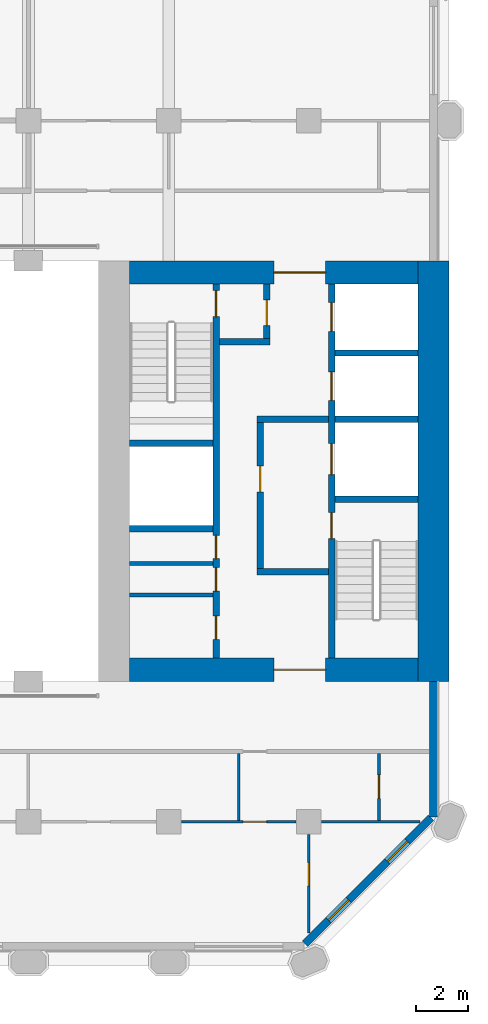
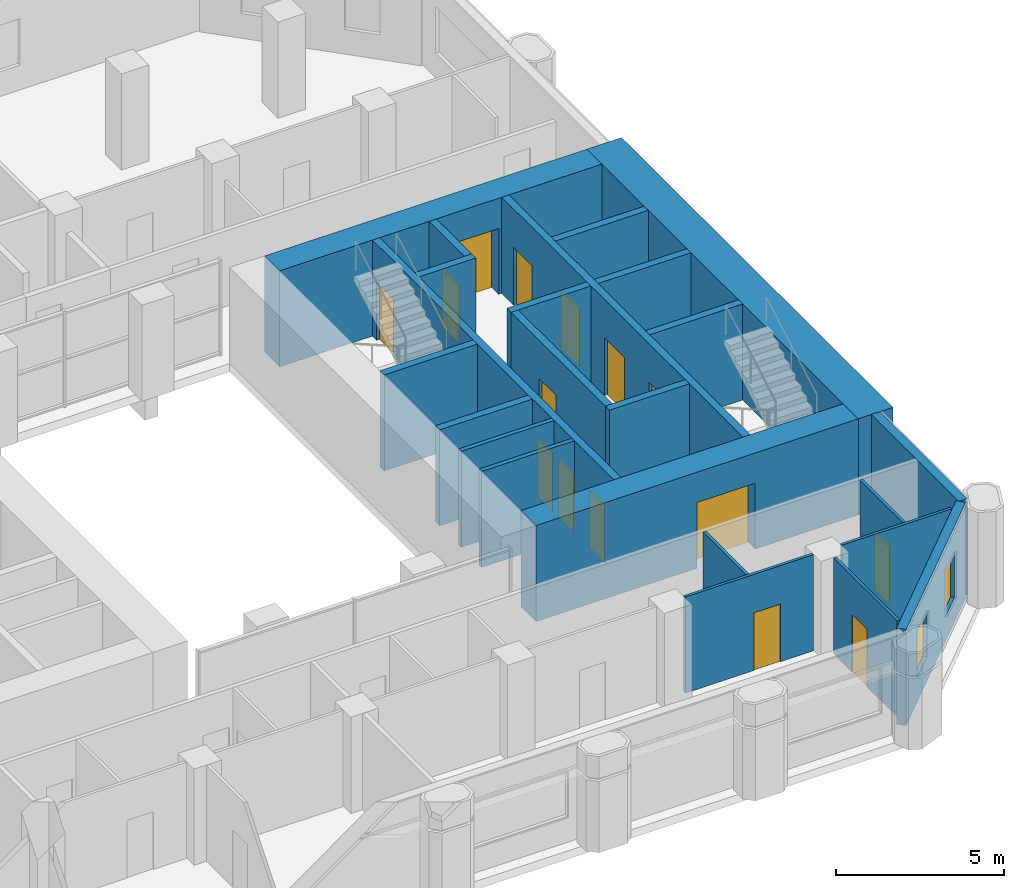
# One storey, part 8 of 13: 24 walls, 15 doors, 2 windows, 17 openings.
"""IFC4 building model written with IfcOpenShell, lengths in metres."""

from ifc_helpers import new_model, si_unit, direction, frame, frame_2d, origin, place, context, subcontext, project, spatial, rectangle, extrude, material, layer, layer_set, type_object, element, fill, save


model = new_model("IFC4")

# Units and contexts
model_context = context("Model", 3, precision=1e-05, world=origin(), true_north=direction((0.0, 1.0)))
body_context = subcontext(model_context, "Body", "Model", "MODEL_VIEW")
ifc_project = project(units=[si_unit("LENGTHUNIT", "METRE"), si_unit("AREAUNIT", "SQUARE_METRE"), si_unit("VOLUMEUNIT", "CUBIC_METRE"), si_unit("PLANEANGLEUNIT", "RADIAN"), si_unit("MASSUNIT", "GRAM", prefix="KILO")], contexts=[model_context])

# Site, building, storey
site_placement = place(None, origin())
site = spatial("IfcSite", under=ifc_project, at=site_placement, CompositionType="ELEMENT")
building_placement = place(site_placement, origin())
building = spatial("IfcBuilding", under=site, at=building_placement, Name="Tabaq Tower and Sports Hall", CompositionType="ELEMENT")
storey_placement = place(building_placement, frame((0.0, 0.0, 106.800048828125)))
storey = spatial("IfcBuildingStorey", under=building, at=storey_placement, Name="L25", CompositionType="ELEMENT", Elevation=106.800048828125)

# Walls
ifc_material_1 = material(Name="Blockwork", Category="masonry")
ifc_layer_1 = layer(ifc_material_1, 0.14990234375)
ifc_layer_set_1 = layer_set([ifc_layer_1], Name="Core room partition 150 Blockwork")
wall_type_1 = type_object("IfcWallType", Name="Core room partition 150 Blockwork", PredefinedType="PARTITIONING", material=ifc_layer_set_1)
for number, where, z_axis, x_axis, name in (
    (1, (30.89990234375, 19.52490234375, 0.0), (0.0, 0.0, 1.0), (1.0, 0.0, 0.0), "Core room partition E L25"),
    (2, (30.89990234375, 20.737060546875, 0.0), (0.0, 0.0, 1.0), (1.0, 0.0, 0.0), "Core room partition E L25"),
):
    element("IfcWall", number, at=place(storey_placement, frame(where, z_axis=z_axis, x_axis=x_axis)), inside=storey, type_object=wall_type_1, Name=name, PredefinedType="PARTITIONING", context=body_context, shape_type="SweptSolid", body=[
        extrude(rectangle(XDim=3.2001953125, YDim=0.14990234375, at=frame_2d((1.60009765625, 0.0))), origin(), (0.0, 0.0, 1.0), 3.5),
    ])
ifc_material_2 = material(Name="Concrete C60/75", Category="concrete")
ifc_layer_2 = layer(ifc_material_2, 1.199951171875)
ifc_layer_set_2 = layer_set([ifc_layer_2], Name="Core wall 1200 Concrete C60/75")
wall_type_2 = type_object("IfcWallType", Name="Core wall 1200 Concrete C60/75", PredefinedType="SOLIDWALL", material=ifc_layer_set_2)
wall_1_placement = place(storey_placement, frame((42.60009765625, 32.39990234375, 0.0), z_axis=(0.0, 0.0, 1.0), x_axis=(0.0, -1.0, 0.0)))
element("IfcWall", 3, at=wall_1_placement, inside=storey, type_object=wall_type_2, Name="Core wall E L25", PredefinedType="SOLIDWALL", context=body_context, shape_type="SweptSolid", body=[
    extrude(rectangle(XDim=16.199951171875, YDim=1.199951171875, at=frame_2d((8.10009765625, 0.0))), origin(), (0.0, 0.0, 1.0), 3.5),
])

# Wall, opening, door
ifc_material_3 = material(Name="Concrete C60/75", Category="concrete")
ifc_layer_3 = layer(ifc_material_3, 0.89990234375)
ifc_layer_set_3 = layer_set([ifc_layer_3], Name="Core wall 900 Concrete C60/75")
wall_type_3 = type_object("IfcWallType", Name="Core wall 900 Concrete C60/75", PredefinedType="SOLIDWALL", material=ifc_layer_set_3)
wall_2_placement = place(storey_placement, frame((42.0, 16.64990234375, 0.0), z_axis=(0.0, 0.0, 1.0), x_axis=(-1.0, 0.0, 0.0)))
wall_2 = element("IfcWall", 4, at=wall_2_placement, inside=storey, type_object=wall_type_3, Name="Core wall E L25", PredefinedType="SOLIDWALL", context=body_context, shape_type="SweptSolid", body=[
    extrude(rectangle(XDim=11.10009765625, YDim=0.89990234375, at=frame_2d((5.550048828125, 0.0))), origin(), (0.0, 0.0, 1.0), 3.5),
])
opening_1_placement = place(wall_2_placement, frame((3.550048828125, 0.0, 0.0)))
opening_1 = element("IfcOpeningElement", 5, at=opening_1_placement, cuts=wall_2, Name="Opening PD-EL25-01", PredefinedType="OPENING", context=body_context, shape_type="SweptSolid", body=[
    extrude(rectangle(XDim=2.0, YDim=2.39990234375, at=frame_2d((1.0, 1.199951171875))), frame((0.0, 0.449951171875, 0.0), z_axis=(0.0, -1.0, 0.0), x_axis=(1.0, 0.0, 0.0)), (0.0, 0.0, 1.0), 0.89990234375),
])
ifc_material_4 = material(Name="Steel fire door", Category="steel")
door_type_1 = type_object("IfcDoorType", Name="Core entrance door 2000", OperationType="DOUBLE_DOOR_SINGLE_SWING", PredefinedType="DOOR", material=ifc_material_4)
door_1_placement = place(opening_1_placement, origin())
door_1 = element("IfcDoor", 6, at=door_1_placement, inside=storey, type_object=door_type_1, Name="Core entrance south E L25", OperationType="DOUBLE_DOOR_SINGLE_SWING", OverallHeight=2.39990234375, OverallWidth=2.0, PredefinedType="DOOR", context=body_context, shape_type="SweptSolid", body=[
    extrude(rectangle(XDim=2.0, YDim=2.39990234375, at=frame_2d((1.0, 1.199951171875))), frame((0.0, 0.02490234375, 0.0), z_axis=(0.0, -1.0, 0.0), x_axis=(1.0, 0.0, 0.0)), (0.0, 0.0, 1.0), 0.050048828125),
])
fill(opening_1, door_1)

wall_3_placement = place(storey_placement, frame((30.89990234375, 31.949951171875, 0.0), z_axis=(0.0, 0.0, 1.0), x_axis=(1.0, 0.0, 0.0)))
wall_3 = element("IfcWall", 7, at=wall_3_placement, inside=storey, type_object=wall_type_3, Name="Core wall E L25", PredefinedType="SOLIDWALL", context=body_context, shape_type="SweptSolid", body=[
    extrude(rectangle(XDim=11.10009765625, YDim=0.89990234375, at=frame_2d((5.550048828125, 0.0))), origin(), (0.0, 0.0, 1.0), 3.5),
])
opening_2_placement = place(wall_3_placement, frame((5.550048828125, 0.0, 0.0)))
opening_2 = element("IfcOpeningElement", 8, at=opening_2_placement, cuts=wall_3, Name="Opening PD-EL25-02", PredefinedType="OPENING", context=body_context, shape_type="SweptSolid", body=[
    extrude(rectangle(XDim=2.0, YDim=2.39990234375, at=frame_2d((1.0, 1.199951171875))), frame((0.0, 0.449951171875, 0.0), z_axis=(0.0, -1.0, 0.0), x_axis=(1.0, 0.0, 0.0)), (0.0, 0.0, 1.0), 0.89990234375),
])
door_2_placement = place(opening_2_placement, origin())
door_2 = element("IfcDoor", 9, at=door_2_placement, inside=storey, type_object=door_type_1, Name="Core entrance north E L25", OperationType="DOUBLE_DOOR_SINGLE_SWING", OverallHeight=2.39990234375, OverallWidth=2.0, PredefinedType="DOOR", context=body_context, shape_type="SweptSolid", body=[
    extrude(rectangle(XDim=2.0, YDim=2.39990234375, at=frame_2d((1.0, 1.199951171875))), frame((0.0, 0.02490234375, 0.0), z_axis=(0.0, -1.0, 0.0), x_axis=(1.0, 0.0, 0.0)), (0.0, 0.0, 1.0), 0.050048828125),
])
fill(opening_2, door_2)

# Wall
ifc_material_5 = material(Name="Gypsum board on steel studs", Category="steel")
ifc_layer_4 = layer(ifc_material_5, 0.10009765625)
ifc_layer_set_4 = layer_set([ifc_layer_4], Name="Partition 100 Gypsum board")
wall_type_4 = type_object("IfcWallType", Name="Partition 100 Gypsum board", PredefinedType="PARTITIONING", material=ifc_layer_set_4)
wall_4_placement = place(storey_placement, frame((35.10009765625, 10.85009765625, 0.0), z_axis=(0.0, 0.0, 1.0), x_axis=(0.0, 1.0, 0.0)))
element("IfcWall", 10, at=wall_4_placement, inside=storey, type_object=wall_type_4, Name="Partition wall L25", PredefinedType="PARTITIONING", context=body_context, shape_type="SweptSolid", body=[
    extrude(rectangle(XDim=2.574951171875, YDim=0.10009765625, at=frame_2d((1.28759765625, 0.0))), origin(), (0.0, 0.0, 1.0), 3.5),
])

# Wall, opening, door
wall_5_placement = place(storey_placement, frame((32.89501953125, 10.800048828125, 0.0), z_axis=(0.0, 0.0, 1.0), x_axis=(1.0, 0.0, 0.0)))
wall_5 = element("IfcWall", 11, at=wall_5_placement, inside=storey, type_object=wall_type_4, Name="Partition wall L25", PredefinedType="PARTITIONING", context=body_context, shape_type="SweptSolid", body=[
    extrude(rectangle(XDim=4.409912109375, YDim=0.10009765625, at=frame_2d((2.205078125, 0.0))), origin(), (0.0, 0.0, 1.0), 3.5),
])
opening_3_placement = place(wall_5_placement, frame((2.375, 0.0, 0.0)))
opening_3 = element("IfcOpeningElement", 12, at=opening_3_placement, cuts=wall_5, Name="Opening L25-033", PredefinedType="OPENING", context=body_context, shape_type="SweptSolid", body=[
    extrude(rectangle(XDim=0.89990234375, YDim=2.10009765625, at=frame_2d((0.449951171875, 1.050048828125))), frame((0.0, 0.050048828125, 0.0), z_axis=(0.0, -1.0, 0.0), x_axis=(1.0, 0.0, 0.0)), (0.0, 0.0, 1.0), 0.10009765625),
])
ifc_material_6 = material(Name="Timber leaf in steel frame", Category="steel")
door_type_2 = type_object("IfcDoorType", Name="Internal door 900 left hand", OperationType="SINGLE_SWING_LEFT", PredefinedType="DOOR", material=ifc_material_6)
door_3_placement = place(opening_3_placement, origin())
door_3 = element("IfcDoor", 13, at=door_3_placement, inside=storey, type_object=door_type_2, Name="Internal door L25-033", OperationType="SINGLE_SWING_LEFT", OverallHeight=2.10009765625, OverallWidth=0.89990234375, PredefinedType="DOOR", context=body_context, shape_type="SweptSolid", body=[
    extrude(rectangle(XDim=0.89990234375, YDim=2.10009765625, at=frame_2d((0.449951171875, 1.050048828125))), frame((0.0, 0.02490234375, 0.0), z_axis=(0.0, -1.0, 0.0), x_axis=(1.0, 0.0, 0.0)), (0.0, 0.0, 1.0), 0.050048828125),
])
fill(opening_3, door_3)

wall_6_placement = place(storey_placement, frame((40.5, 10.85009765625, 0.0), z_axis=(0.0, 0.0, 1.0), x_axis=(0.0, 1.0, 0.0)))
wall_6 = element("IfcWall", 14, at=wall_6_placement, inside=storey, type_object=wall_type_4, Name="Partition wall L25", PredefinedType="PARTITIONING", context=body_context, shape_type="SweptSolid", body=[
    extrude(rectangle(XDim=2.574951171875, YDim=0.10009765625, at=frame_2d((1.28759765625, 0.0))), origin(), (0.0, 0.0, 1.0), 3.5),
])
opening_4_placement = place(wall_6_placement, frame((0.85009765625, 0.0, 0.0)))
opening_4 = element("IfcOpeningElement", 15, at=opening_4_placement, cuts=wall_6, Name="Opening L25-023", PredefinedType="OPENING", context=body_context, shape_type="SweptSolid", body=[
    extrude(rectangle(XDim=0.89990234375, YDim=2.10009765625, at=frame_2d((0.449951171875, 1.050048828125))), frame((0.0, 0.050048828125, 0.0), z_axis=(0.0, -1.0, 0.0), x_axis=(1.0, 0.0, 0.0)), (0.0, 0.0, 1.0), 0.10009765625),
])
door_4_placement = place(opening_4_placement, origin())
door_4 = element("IfcDoor", 16, at=door_4_placement, inside=storey, type_object=door_type_2, Name="Internal door L25-023", OperationType="SINGLE_SWING_LEFT", OverallHeight=2.10009765625, OverallWidth=0.89990234375, PredefinedType="DOOR", context=body_context, shape_type="SweptSolid", body=[
    extrude(rectangle(XDim=0.89990234375, YDim=2.10009765625, at=frame_2d((0.449951171875, 1.050048828125))), frame((0.0, 0.02490234375, 0.0), z_axis=(0.0, -1.0, 0.0), x_axis=(1.0, 0.0, 0.0)), (0.0, 0.0, 1.0), 0.050048828125),
])
fill(opening_4, door_4)

# Wall
wall_7_placement = place(storey_placement, frame((38.294921875, 10.800048828125, 0.0), z_axis=(0.0, 0.0, 1.0), x_axis=(1.0, 0.0, 0.0)))
element("IfcWall", 17, at=wall_7_placement, inside=storey, type_object=wall_type_4, Name="Partition wall L25", PredefinedType="PARTITIONING", context=body_context, shape_type="SweptSolid", body=[
    extrude(rectangle(XDim=3.79296875, YDim=0.10009765625, at=frame_2d((1.896484375, 0.0))), origin(), (0.0, 0.0, 1.0), 3.5),
])

# Wall, opening, door
wall_8_placement = place(storey_placement, frame((37.800048828125, 6.51220703125, 0.0), z_axis=(0.0, 0.0, 1.0), x_axis=(0.0, 1.0, 0.0)))
wall_8 = element("IfcWall", 18, at=wall_8_placement, inside=storey, type_object=wall_type_4, Name="Partition wall L25", PredefinedType="PARTITIONING", context=body_context, shape_type="SweptSolid", body=[
    extrude(rectangle(XDim=3.792724609375, YDim=0.10009765625, at=frame_2d((1.896484375, 0.0))), origin(), (0.0, 0.0, 1.0), 3.5),
])
opening_5_placement = place(wall_8_placement, frame((1.81298828125, 0.0, 0.0)))
opening_5 = element("IfcOpeningElement", 19, at=opening_5_placement, cuts=wall_8, Name="Opening L25-024", PredefinedType="OPENING", context=body_context, shape_type="SweptSolid", body=[
    extrude(rectangle(XDim=0.89990234375, YDim=2.10009765625, at=frame_2d((0.449951171875, 1.050048828125))), frame((0.0, 0.050048828125, 0.0), z_axis=(0.0, -1.0, 0.0), x_axis=(1.0, 0.0, 0.0)), (0.0, 0.0, 1.0), 0.10009765625),
])
door_5_placement = place(opening_5_placement, origin())
door_5 = element("IfcDoor", 20, at=door_5_placement, inside=storey, type_object=door_type_2, Name="Internal door L25-024", OperationType="SINGLE_SWING_LEFT", OverallHeight=2.10009765625, OverallWidth=0.89990234375, PredefinedType="DOOR", context=body_context, shape_type="SweptSolid", body=[
    extrude(rectangle(XDim=0.89990234375, YDim=2.10009765625, at=frame_2d((0.449951171875, 1.050048828125))), frame((0.0, 0.02490234375, 0.0), z_axis=(0.0, -1.0, 0.0), x_axis=(1.0, 0.0, 0.0)), (0.0, 0.0, 1.0), 0.050048828125),
])
fill(opening_5, door_5)

# Wall, openings, doors
ifc_material_7 = material(Name="Concrete C40/50", Category="concrete")
ifc_layer_5 = layer(ifc_material_7, 0.25)
ifc_layer_set_5 = layer_set([ifc_layer_5], Name="Shaft and stair wall 250 Concrete C40/50")
wall_type_5 = type_object("IfcWallType", Name="Shaft and stair wall 250 Concrete C40/50", PredefinedType="SOLIDWALL", material=ifc_layer_set_5)
wall_9_placement = place(storey_placement, frame((38.675048828125, 17.10009765625, 0.0), z_axis=(0.0, 0.0, 1.0), x_axis=(0.0, 1.0, 0.0)))
wall_9 = element("IfcWall", 21, at=wall_9_placement, inside=storey, type_object=wall_type_5, Name="Shaft wall E L25", PredefinedType="SOLIDWALL", context=body_context, shape_type="SweptSolid", body=[
    extrude(rectangle(XDim=14.39990234375, YDim=0.25, at=frame_2d((7.199951171875, 0.0))), origin(), (0.0, 0.0, 1.0), 3.5),
])
opening_6_placement = place(wall_9_placement, frame((4.60009765625, 0.0, 0.0)))
opening_6 = element("IfcOpeningElement", 22, at=opening_6_placement, cuts=wall_9, Name="Opening SD-EL25-03", PredefinedType="OPENING", context=body_context, shape_type="SweptSolid", body=[
    extrude(rectangle(XDim=1.0, YDim=2.10009765625, at=frame_2d((0.5, 1.050048828125))), frame((0.0, 0.125, 0.0), z_axis=(0.0, -1.0, 0.0), x_axis=(1.0, 0.0, 0.0)), (0.0, 0.0, 1.0), 0.25),
])
opening_7_placement = place(wall_9_placement, frame((7.0625, 0.0, 0.0)))
opening_7 = element("IfcOpeningElement", 23, at=opening_7_placement, cuts=wall_9, Name="Opening LD-FF2-L25", PredefinedType="OPENING", context=body_context, shape_type="SweptSolid", body=[
    extrude(rectangle(XDim=1.199951171875, YDim=2.10009765625, at=frame_2d((0.60009765625, 1.050048828125))), frame((0.0, 0.125, 0.0), z_axis=(0.0, -1.0, 0.0), x_axis=(1.0, 0.0, 0.0)), (0.0, 0.0, 1.0), 0.25),
])
opening_8_placement = place(wall_9_placement, frame((9.925048828125, 0.0, 0.0)))
opening_8 = element("IfcOpeningElement", 24, at=opening_8_placement, cuts=wall_9, Name="Opening LD-LR3-L25", PredefinedType="OPENING", context=body_context, shape_type="SweptSolid", body=[
    extrude(rectangle(XDim=1.10009765625, YDim=2.10009765625, at=frame_2d((0.550048828125, 1.050048828125))), frame((0.0, 0.125, 0.0), z_axis=(0.0, -1.0, 0.0), x_axis=(1.0, 0.0, 0.0)), (0.0, 0.0, 1.0), 0.25),
])
opening_9_placement = place(wall_9_placement, frame((12.58740234375, 0.0, 0.0)))
opening_9 = element("IfcOpeningElement", 25, at=opening_9_placement, cuts=wall_9, Name="Opening LD-LR4-L25", PredefinedType="OPENING", context=body_context, shape_type="SweptSolid", body=[
    extrude(rectangle(XDim=1.10009765625, YDim=2.10009765625, at=frame_2d((0.550048828125, 1.050048828125))), frame((0.0, 0.125, 0.0), z_axis=(0.0, -1.0, 0.0), x_axis=(1.0, 0.0, 0.0)), (0.0, 0.0, 1.0), 0.25),
])
ifc_material_8 = material(Name="Stainless steel", Category="steel")
door_type_3 = type_object("IfcDoorType", Name="Lift landing door 1100", OperationType="DOUBLE_DOOR_SLIDING", PredefinedType="DOOR", material=ifc_material_8)
door_6_placement = place(opening_8_placement, origin())
door_6 = element("IfcDoor", 26, at=door_6_placement, inside=storey, type_object=door_type_3, Name="Lift landing door LR3 E L25", OperationType="DOUBLE_DOOR_SLIDING", OverallHeight=2.10009765625, OverallWidth=1.10009765625, PredefinedType="DOOR", context=body_context, shape_type="SweptSolid", body=[
    extrude(rectangle(XDim=1.10009765625, YDim=2.10009765625, at=frame_2d((0.550048828125, 1.050048828125))), frame((0.0, 0.02490234375, 0.0), z_axis=(0.0, -1.0, 0.0), x_axis=(1.0, 0.0, 0.0)), (0.0, 0.0, 1.0), 0.050048828125),
])
fill(opening_8, door_6)
door_7_placement = place(opening_9_placement, origin())
door_7 = element("IfcDoor", 27, at=door_7_placement, inside=storey, type_object=door_type_3, Name="Lift landing door LR4 E L25", OperationType="DOUBLE_DOOR_SLIDING", OverallHeight=2.10009765625, OverallWidth=1.10009765625, PredefinedType="DOOR", context=body_context, shape_type="SweptSolid", body=[
    extrude(rectangle(XDim=1.10009765625, YDim=2.10009765625, at=frame_2d((0.550048828125, 1.050048828125))), frame((0.0, 0.02490234375, 0.0), z_axis=(0.0, -1.0, 0.0), x_axis=(1.0, 0.0, 0.0)), (0.0, 0.0, 1.0), 0.050048828125),
])
fill(opening_9, door_7)
ifc_material_9 = material(Name="Stainless steel", Category="steel")
door_type_4 = type_object("IfcDoorType", Name="Lift landing door 1200", OperationType="DOUBLE_DOOR_SLIDING", PredefinedType="DOOR", material=ifc_material_9)
door_8_placement = place(opening_7_placement, origin())
door_8 = element("IfcDoor", 28, at=door_8_placement, inside=storey, type_object=door_type_4, Name="Lift landing door FF2 E L25", OperationType="DOUBLE_DOOR_SLIDING", OverallHeight=2.10009765625, OverallWidth=1.199951171875, PredefinedType="DOOR", context=body_context, shape_type="SweptSolid", body=[
    extrude(rectangle(XDim=1.199951171875, YDim=2.10009765625, at=frame_2d((0.60009765625, 1.050048828125))), frame((0.0, 0.02490234375, 0.0), z_axis=(0.0, -1.0, 0.0), x_axis=(1.0, 0.0, 0.0)), (0.0, 0.0, 1.0), 0.050048828125),
])
fill(opening_7, door_8)
ifc_material_10 = material(Name="Steel fire door", Category="steel")
door_type_5 = type_object("IfcDoorType", Name="Stair door 1000", OperationType="SINGLE_SWING_LEFT", PredefinedType="DOOR", material=ifc_material_10)
door_9_placement = place(opening_6_placement, origin())
door_9 = element("IfcDoor", 29, at=door_9_placement, inside=storey, type_object=door_type_5, Name="Stair door ST3 E L25", OperationType="SINGLE_SWING_LEFT", OverallHeight=2.10009765625, OverallWidth=1.0, PredefinedType="DOOR", context=body_context, shape_type="SweptSolid", body=[
    extrude(rectangle(XDim=1.0, YDim=2.10009765625, at=frame_2d((0.5, 1.050048828125))), frame((0.0, 0.02490234375, 0.0), z_axis=(0.0, -1.0, 0.0), x_axis=(1.0, 0.0, 0.0)), (0.0, 0.0, 1.0), 0.050048828125),
])
fill(opening_6, door_9)

wall_10_placement = place(storey_placement, frame((34.22509765625, 17.10009765625, 0.0), z_axis=(0.0, 0.0, 1.0), x_axis=(0.0, 1.0, 0.0)))
wall_10 = element("IfcWall", 30, at=wall_10_placement, inside=storey, type_object=wall_type_5, Name="Shaft wall E L25", PredefinedType="SOLIDWALL", context=body_context, shape_type="SweptSolid", body=[
    extrude(rectangle(XDim=14.39990234375, YDim=0.25, at=frame_2d((7.199951171875, 0.0))), origin(), (0.0, 0.0, 1.0), 3.5),
])
opening_10_placement = place(wall_10_placement, frame((13.14990234375, 0.0, 0.0)))
opening_10 = element("IfcOpeningElement", 31, at=opening_10_placement, cuts=wall_10, Name="Opening SD-EL25-05", PredefinedType="OPENING", context=body_context, shape_type="SweptSolid", body=[
    extrude(rectangle(XDim=1.0, YDim=2.10009765625, at=frame_2d((0.5, 1.050048828125))), frame((0.0, 0.125, 0.0), z_axis=(0.0, -1.0, 0.0), x_axis=(1.0, 0.0, 0.0)), (0.0, 0.0, 1.0), 0.25),
])
opening_11_placement = place(wall_10_placement, frame((0.72509765625, 0.0, 0.0)))
opening_11 = element("IfcOpeningElement", 32, at=opening_11_placement, cuts=wall_10, Name="Opening RD-EL25-10", PredefinedType="OPENING", context=body_context, shape_type="SweptSolid", body=[
    extrude(rectangle(XDim=0.89990234375, YDim=2.10009765625, at=frame_2d((0.449951171875, 1.050048828125))), frame((0.0, 0.125, 0.0), z_axis=(0.0, -1.0, 0.0), x_axis=(1.0, 0.0, 0.0)), (0.0, 0.0, 1.0), 0.25),
])
opening_12_placement = place(wall_10_placement, frame((2.5810546875, 0.0, 0.0)))
opening_12 = element("IfcOpeningElement", 33, at=opening_12_placement, cuts=wall_10, Name="Opening RD-EL25-11", PredefinedType="OPENING", context=body_context, shape_type="SweptSolid", body=[
    extrude(rectangle(XDim=0.89990234375, YDim=2.10009765625, at=frame_2d((0.449951171875, 1.050048828125))), frame((0.0, 0.125, 0.0), z_axis=(0.0, -1.0, 0.0), x_axis=(1.0, 0.0, 0.0)), (0.0, 0.0, 1.0), 0.25),
])
opening_13_placement = place(wall_10_placement, frame((3.8310546875, 0.0, 0.0)))
opening_13 = element("IfcOpeningElement", 34, at=opening_13_placement, cuts=wall_10, Name="Opening RD-EL25-12", PredefinedType="OPENING", context=body_context, shape_type="SweptSolid", body=[
    extrude(rectangle(XDim=0.89990234375, YDim=2.10009765625, at=frame_2d((0.449951171875, 1.050048828125))), frame((0.0, 0.125, 0.0), z_axis=(0.0, -1.0, 0.0), x_axis=(1.0, 0.0, 0.0)), (0.0, 0.0, 1.0), 0.25),
])
ifc_material_11 = material(Name="Steel fire door", Category="steel")
door_type_6 = type_object("IfcDoorType", Name="Core room door 900", OperationType="SINGLE_SWING_LEFT", PredefinedType="DOOR", material=ifc_material_11)
door_10_placement = place(opening_11_placement, origin())
door_10 = element("IfcDoor", 35, at=door_10_placement, inside=storey, type_object=door_type_6, Name="Door Unisex WC E L25", OperationType="SINGLE_SWING_LEFT", OverallHeight=2.10009765625, OverallWidth=0.89990234375, PredefinedType="DOOR", context=body_context, shape_type="SweptSolid", body=[
    extrude(rectangle(XDim=0.89990234375, YDim=2.10009765625, at=frame_2d((0.449951171875, 1.050048828125))), frame((0.0, 0.02490234375, 0.0), z_axis=(0.0, -1.0, 0.0), x_axis=(1.0, 0.0, 0.0)), (0.0, 0.0, 1.0), 0.050048828125),
])
fill(opening_11, door_10)
door_11_placement = place(opening_12_placement, origin())
door_11 = element("IfcDoor", 36, at=door_11_placement, inside=storey, type_object=door_type_6, Name="Door Cleaner's Store E L25", OperationType="SINGLE_SWING_LEFT", OverallHeight=2.10009765625, OverallWidth=0.89990234375, PredefinedType="DOOR", context=body_context, shape_type="SweptSolid", body=[
    extrude(rectangle(XDim=0.89990234375, YDim=2.10009765625, at=frame_2d((0.449951171875, 1.050048828125))), frame((0.0, 0.02490234375, 0.0), z_axis=(0.0, -1.0, 0.0), x_axis=(1.0, 0.0, 0.0)), (0.0, 0.0, 1.0), 0.050048828125),
])
fill(opening_12, door_11)
door_12_placement = place(opening_13_placement, origin())
door_12 = element("IfcDoor", 37, at=door_12_placement, inside=storey, type_object=door_type_6, Name="Door Accessible WC E L25", OperationType="SINGLE_SWING_LEFT", OverallHeight=2.10009765625, OverallWidth=0.89990234375, PredefinedType="DOOR", context=body_context, shape_type="SweptSolid", body=[
    extrude(rectangle(XDim=0.89990234375, YDim=2.10009765625, at=frame_2d((0.449951171875, 1.050048828125))), frame((0.0, 0.02490234375, 0.0), z_axis=(0.0, -1.0, 0.0), x_axis=(1.0, 0.0, 0.0)), (0.0, 0.0, 1.0), 0.050048828125),
])
fill(opening_13, door_12)
door_13_placement = place(opening_10_placement, origin())
door_13 = element("IfcDoor", 38, at=door_13_placement, inside=storey, type_object=door_type_5, Name="Stair door ST4 E L25", OperationType="SINGLE_SWING_LEFT", OverallHeight=2.10009765625, OverallWidth=1.0, PredefinedType="DOOR", context=body_context, shape_type="SweptSolid", body=[
    extrude(rectangle(XDim=1.0, YDim=2.10009765625, at=frame_2d((0.5, 1.050048828125))), frame((0.0, 0.02490234375, 0.0), z_axis=(0.0, -1.0, 0.0), x_axis=(1.0, 0.0, 0.0)), (0.0, 0.0, 1.0), 0.050048828125),
])
fill(opening_10, door_13)

# Walls
wall_11_placement = place(storey_placement, frame((38.800048828125, 23.22509765625, 0.0), z_axis=(0.0, 0.0, 1.0), x_axis=(1.0, 0.0, 0.0)))
element("IfcWall", 39, at=wall_11_placement, inside=storey, type_object=wall_type_5, Name="Stair enclosure wall E L25", PredefinedType="SOLIDWALL", context=body_context, shape_type="SweptSolid", body=[
    extrude(rectangle(XDim=3.199951171875, YDim=0.25, at=frame_2d((1.60009765625, 0.0))), origin(), (0.0, 0.0, 1.0), 3.5),
])
for number, where, z_axis, x_axis, name in (
    (40, (30.89990234375, 25.375, 0.0), (0.0, 0.0, 1.0), (1.0, 0.0, 0.0), "Stair enclosure wall E L25"),
    (41, (30.89990234375, 22.074951171875, 0.0), (0.0, 0.0, 1.0), (1.0, 0.0, 0.0), "Shaft wall E L25"),
):
    element("IfcWall", number, at=place(storey_placement, frame(where, z_axis=z_axis, x_axis=x_axis)), inside=storey, type_object=wall_type_5, Name=name, PredefinedType="SOLIDWALL", context=body_context, shape_type="SweptSolid", body=[
        extrude(rectangle(XDim=3.2001953125, YDim=0.25, at=frame_2d((1.60009765625, 0.0))), origin(), (0.0, 0.0, 1.0), 3.5),
    ])
wall_12_placement = place(storey_placement, frame((38.800048828125, 26.300048828125, 0.0), z_axis=(0.0, 0.0, 1.0), x_axis=(1.0, 0.0, 0.0)))
element("IfcWall", 42, at=wall_12_placement, inside=storey, type_object=wall_type_5, Name="Shaft wall E L25", PredefinedType="SOLIDWALL", context=body_context, shape_type="SweptSolid", body=[
    extrude(rectangle(XDim=3.199951171875, YDim=0.25, at=frame_2d((1.60009765625, 0.0))), origin(), (0.0, 0.0, 1.0), 3.5),
])
for number, where, z_axis, x_axis, name in (
    (43, (35.800048828125, 26.300048828125, 0.0), (0.0, 0.0, 1.0), (1.0, 0.0, 0.0), "Fire-fighting lobby wall E L25"),
    (44, (35.800048828125, 20.425048828125, 0.0), (0.0, 0.0, 1.0), (1.0, 0.0, 0.0), "Fire-fighting lobby wall E L25"),
):
    element("IfcWall", number, at=place(storey_placement, frame(where, z_axis=z_axis, x_axis=x_axis)), inside=storey, type_object=wall_type_5, Name=name, PredefinedType="SOLIDWALL", context=body_context, shape_type="SweptSolid", body=[
        extrude(rectangle(XDim=2.75, YDim=0.25, at=frame_2d((1.375, 0.0))), origin(), (0.0, 0.0, 1.0), 3.5),
    ])

# Wall, opening, door
wall_13_placement = place(storey_placement, frame((36.175048828125, 29.39990234375, 0.0), z_axis=(0.0, 0.0, 1.0), x_axis=(0.0, 1.0, 0.0)))
wall_13 = element("IfcWall", 45, at=wall_13_placement, inside=storey, type_object=wall_type_5, Name="Fire-fighting lobby wall E L25", PredefinedType="SOLIDWALL", context=body_context, shape_type="SweptSolid", body=[
    extrude(rectangle(XDim=2.10009765625, YDim=0.25, at=frame_2d((1.050048828125, 0.0))), origin(), (0.0, 0.0, 1.0), 3.5),
])
opening_14_placement = place(wall_13_placement, frame((0.5, 0.0, 0.0)))
opening_14 = element("IfcOpeningElement", 46, at=opening_14_placement, cuts=wall_13, Name="Opening FD-EL25-06", PredefinedType="OPENING", context=body_context, shape_type="SweptSolid", body=[
    extrude(rectangle(XDim=1.0, YDim=2.10009765625, at=frame_2d((0.5, 1.050048828125))), frame((0.0, 0.125, 0.0), z_axis=(0.0, -1.0, 0.0), x_axis=(1.0, 0.0, 0.0)), (0.0, 0.0, 1.0), 0.25),
])
ifc_material_12 = material(Name="Steel fire door", Category="steel")
door_type_7 = type_object("IfcDoorType", Name="Fire-fighting lobby door 1000", OperationType="SINGLE_SWING_LEFT", PredefinedType="DOOR", material=ifc_material_12)
door_14_placement = place(opening_14_placement, origin())
door_14 = element("IfcDoor", 47, at=door_14_placement, inside=storey, type_object=door_type_7, Name="Stair lobby door E L25", OperationType="SINGLE_SWING_LEFT", OverallHeight=2.10009765625, OverallWidth=1.0, PredefinedType="DOOR", context=body_context, shape_type="SweptSolid", body=[
    extrude(rectangle(XDim=1.0, YDim=2.10009765625, at=frame_2d((0.5, 1.050048828125))), frame((0.0, 0.02490234375, 0.0), z_axis=(0.0, -1.0, 0.0), x_axis=(1.0, 0.0, 0.0)), (0.0, 0.0, 1.0), 0.050048828125),
])
fill(opening_14, door_14)

# Wall
wall_14_placement = place(storey_placement, frame((34.35009765625, 29.27490234375, 0.0), z_axis=(0.0, 0.0, 1.0), x_axis=(1.0, 0.0, 0.0)))
element("IfcWall", 48, at=wall_14_placement, inside=storey, type_object=wall_type_5, Name="Fire-fighting lobby wall E L25", PredefinedType="SOLIDWALL", context=body_context, shape_type="SweptSolid", body=[
    extrude(rectangle(XDim=1.949951171875, YDim=0.25, at=frame_2d((0.97509765625, 0.0))), origin(), (0.0, 0.0, 1.0), 3.5),
])

# Wall, opening, door
wall_15_placement = place(storey_placement, frame((35.925048828125, 20.550048828125, 0.0), z_axis=(0.0, 0.0, 1.0), x_axis=(0.0, 1.0, 0.0)))
wall_15 = element("IfcWall", 49, at=wall_15_placement, inside=storey, type_object=wall_type_5, Name="Fire-fighting lobby wall E L25", PredefinedType="SOLIDWALL", context=body_context, shape_type="SweptSolid", body=[
    extrude(rectangle(XDim=5.625, YDim=0.25, at=frame_2d((2.8125, 0.0))), origin(), (0.0, 0.0, 1.0), 3.5),
])
opening_15_placement = place(wall_15_placement, frame((2.949951171875, 0.0, 0.0)))
opening_15 = element("IfcOpeningElement", 50, at=opening_15_placement, cuts=wall_15, Name="Opening FD-EL25-04", PredefinedType="OPENING", context=body_context, shape_type="SweptSolid", body=[
    extrude(rectangle(XDim=1.0, YDim=2.10009765625, at=frame_2d((0.5, 1.050048828125))), frame((0.0, 0.125, 0.0), z_axis=(0.0, -1.0, 0.0), x_axis=(1.0, 0.0, 0.0)), (0.0, 0.0, 1.0), 0.25),
])
door_15_placement = place(opening_15_placement, origin())
door_15 = element("IfcDoor", 51, at=door_15_placement, inside=storey, type_object=door_type_7, Name="Fire-fighting lobby door E L25", OperationType="SINGLE_SWING_LEFT", OverallHeight=2.10009765625, OverallWidth=1.0, PredefinedType="DOOR", context=body_context, shape_type="SweptSolid", body=[
    extrude(rectangle(XDim=1.0, YDim=2.10009765625, at=frame_2d((0.5, 1.050048828125))), frame((0.0, 0.02490234375, 0.0), z_axis=(0.0, -1.0, 0.0), x_axis=(1.0, 0.0, 0.0)), (0.0, 0.0, 1.0), 0.050048828125),
])
fill(opening_15, door_15)

# Wall
wall_16_placement = place(storey_placement, frame((38.800048828125, 28.85009765625, 0.0), z_axis=(0.0, 0.0, 1.0), x_axis=(1.0, 0.0, 0.0)))
element("IfcWall", 52, at=wall_16_placement, inside=storey, type_object=wall_type_5, Name="Shaft wall E L25", PredefinedType="SOLIDWALL", context=body_context, shape_type="SweptSolid", body=[
    extrude(rectangle(XDim=3.199951171875, YDim=0.25, at=frame_2d((1.60009765625, 0.0))), origin(), (0.0, 0.0, 1.0), 3.5),
])

# Wall, openings, windows
ifc_material_13 = material(Name="White precast concrete C60/75", Category="concrete")
ifc_layer_6 = layer(ifc_material_13, 0.300048828125)
ifc_layer_set_6 = layer_set([ifc_layer_6], Name="White precast concrete C60/75 external wall 300")
wall_type_6 = type_object("IfcWallType", Name="White precast concrete C60/75 external wall 300", PredefinedType="SOLIDWALL", material=ifc_layer_set_6)
wall_17_placement = place(storey_placement, frame((37.650390625, 6.098876953125, 0.0), z_axis=(0.0, 0.0, 1.0), x_axis=(0.707106781187, 0.707106781187, 0.0)))
wall_17 = element("IfcWall", 53, at=wall_17_placement, inside=storey, type_object=wall_type_6, Name="External Wall L25 SE", PredefinedType="SOLIDWALL", context=body_context, shape_type="SweptSolid", body=[
    extrude(rectangle(XDim=6.85986328125, YDim=0.300048828125, at=frame_2d((3.429931640625, 0.0))), origin(), (0.0, 0.0, 1.0), 3.5),
])
opening_16_placement = place(wall_17_placement, frame((1.27978515625, 0.0, 0.89990234375)))
opening_16 = element("IfcOpeningElement", 54, at=opening_16_placement, cuts=wall_17, Name="Opening W1B", PredefinedType="OPENING", context=body_context, shape_type="SweptSolid", body=[
    extrude(rectangle(XDim=1.10009765625, YDim=1.699951171875, at=frame_2d((0.550048828125, 0.85009765625))), frame((0.0, 0.16015625, 0.0), z_axis=(0.0, -1.0, 0.0), x_axis=(1.0, 0.0, 0.0)), (0.0, 0.0, 1.0), 0.320068359375),
])
opening_17_placement = place(wall_17_placement, frame((4.479736328125, 0.0, 0.89990234375)))
opening_17 = element("IfcOpeningElement", 55, at=opening_17_placement, cuts=wall_17, Name="Opening W1B", PredefinedType="OPENING", context=body_context, shape_type="SweptSolid", body=[
    extrude(rectangle(XDim=1.10009765625, YDim=1.699951171875, at=frame_2d((0.550048828125, 0.85009765625))), frame((0.0, 0.16015625, 0.0), z_axis=(0.0, -1.0, 0.0), x_axis=(1.0, 0.0, 0.0)), (0.0, 0.0, 1.0), 0.320068359375),
])
ifc_material_14 = material(Name="Aluminium framed clear glazing", Category="aluminium")
window_type = type_object("IfcWindowType", Name="Window W1B", PartitioningType="SINGLE_PANEL", PredefinedType="WINDOW", material=ifc_material_14)
window_1_placement = place(opening_16_placement, origin())
window_1 = element("IfcWindow", 56, at=window_1_placement, inside=storey, type_object=window_type, Name="Window W1B L25", OverallHeight=1.699951171875, OverallWidth=1.10009765625, PartitioningType="SINGLE_PANEL", PredefinedType="WINDOW", context=body_context, shape_type="SweptSolid", body=[
    extrude(rectangle(XDim=1.10009765625, YDim=1.699951171875, at=frame_2d((0.550048828125, 0.85009765625))), frame((0.0, 0.030029296875, 0.0), z_axis=(0.0, -1.0, 0.0), x_axis=(1.0, 0.0, 0.0)), (0.0, 0.0, 1.0), 0.06005859375),
])
fill(opening_16, window_1)
window_2_placement = place(opening_17_placement, origin())
window_2 = element("IfcWindow", 57, at=window_2_placement, inside=storey, type_object=window_type, Name="Window W1B L25", OverallHeight=1.699951171875, OverallWidth=1.10009765625, PartitioningType="SINGLE_PANEL", PredefinedType="WINDOW", context=body_context, shape_type="SweptSolid", body=[
    extrude(rectangle(XDim=1.10009765625, YDim=1.699951171875, at=frame_2d((0.550048828125, 0.85009765625))), frame((0.0, 0.030029296875, 0.0), z_axis=(0.0, -1.0, 0.0), x_axis=(1.0, 0.0, 0.0)), (0.0, 0.0, 1.0), 0.06005859375),
])
fill(opening_17, window_2)

# Wall
wall_18_placement = place(storey_placement, frame((42.60009765625, 10.986328125, 0.0), z_axis=(0.0, 0.0, 1.0), x_axis=(0.0, 1.0, 0.0)))
element("IfcWall", 58, at=wall_18_placement, inside=storey, type_object=wall_type_6, Name="External Wall L25 E", PredefinedType="SOLIDWALL", context=body_context, shape_type="SweptSolid", body=[
    extrude(rectangle(XDim=5.213623046875, YDim=0.300048828125, at=frame_2d((2.60693359375, 0.0))), origin(), (0.0, 0.0, 1.0), 3.5),
])

save(model, "model.ifc")
